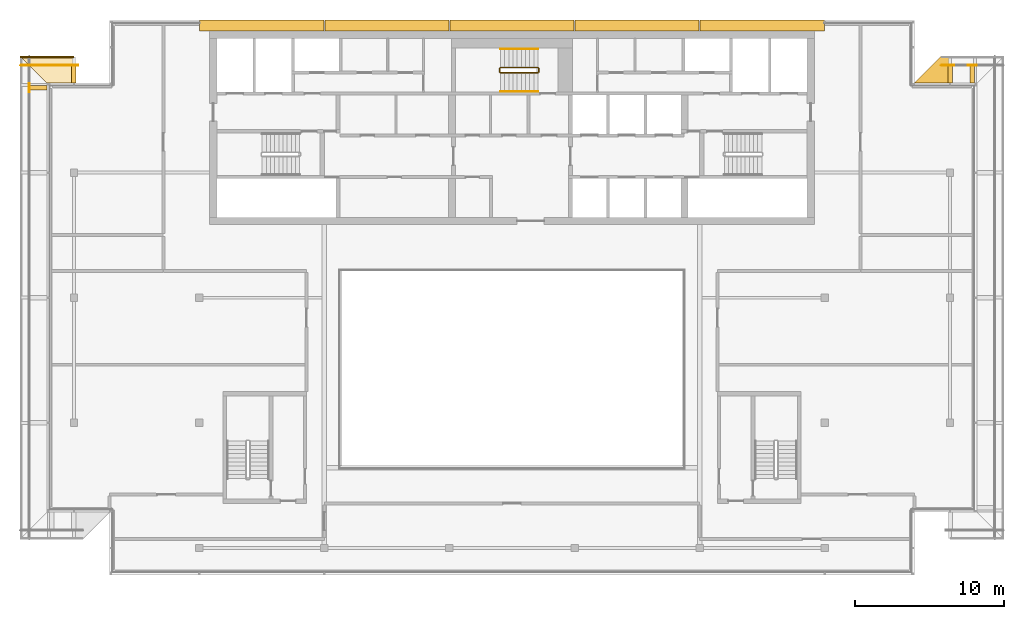
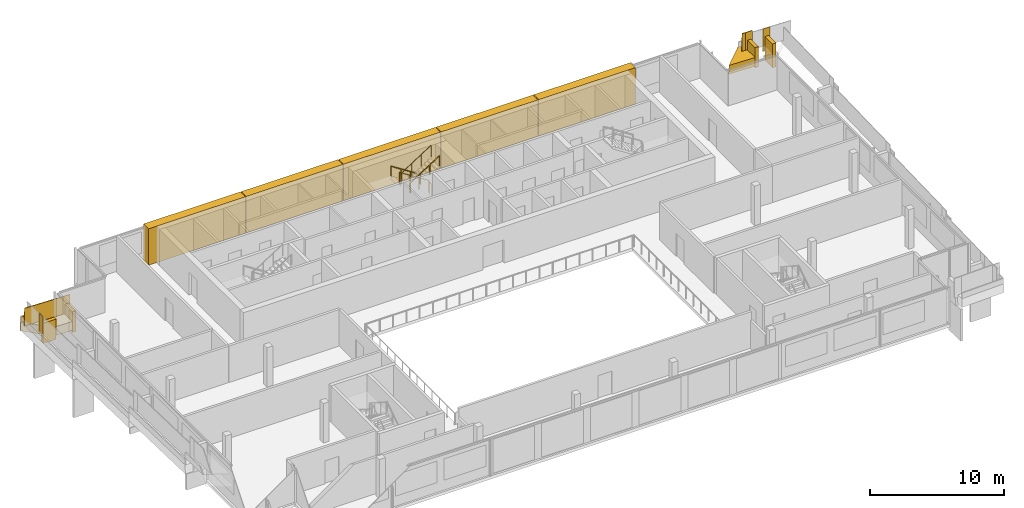
# One storey, part 18 of 20: 12 coverings, 9 railings.
"""IFC4 building model written with IfcOpenShell, lengths in metres."""

from ifc_helpers import new_model, si_unit, direction, frame, origin, origin_2d, place, context, subcontext, project, spatial, polyline, rectangle, circle, outline, extrude, material, layer, layer_set, type_object, element, save


model = new_model("IFC4")

# Units and contexts
model_context = context("Model", 3, precision=1e-05, world=origin(), true_north=direction((0.0, 1.0)))
body_context = subcontext(model_context, "Body", "Model", "MODEL_VIEW")
ifc_project = project(units=[si_unit("LENGTHUNIT", "METRE"), si_unit("AREAUNIT", "SQUARE_METRE"), si_unit("VOLUMEUNIT", "CUBIC_METRE"), si_unit("PLANEANGLEUNIT", "RADIAN"), si_unit("MASSUNIT", "GRAM", prefix="KILO")], contexts=[model_context])

# Site, building, storey
site_placement = place(None, origin())
site = spatial("IfcSite", under=ifc_project, at=site_placement, CompositionType="ELEMENT")
building_placement = place(site_placement, origin())
building = spatial("IfcBuilding", under=site, at=building_placement, Name="Saffron Gate Tower", CompositionType="ELEMENT")
storey_placement = place(building_placement, frame((0.0, 0.0, 303.14990234375)))
storey = spatial("IfcBuildingStorey", under=building, at=storey_placement, Name="L74", CompositionType="ELEMENT", Elevation=303.14990234375)

# Coverings
ifc_material_1 = material(Name="Ceramic-printed bronze insulated panel")
ifc_layer_1 = layer(ifc_material_1, 0.739990234375)
ifc_layer_set_1 = layer_set([ifc_layer_1], Name="CLD5 ceramic-printed cladding panel 740")
covering_type_1 = type_object("IfcCoveringType", Name="CLD5 ceramic-printed cladding panel 740", PredefinedType="CLADDING", material=ifc_layer_set_1)
covering_1_placement = place(storey_placement, origin())
element("IfcCovering", 1, at=covering_1_placement, inside=storey, type_object=covering_type_1, Name="CLADDING ceramic-printed panel", PredefinedType="CLADDING", context=body_context, shape_type="SweptSolid", body=[
    extrude(outline(polyline([(108.56494140625, 75.639892578125), (100.235107421875, 75.639892578125), (100.235107421875, 74.89990234375), (108.56494140625, 74.89990234375), (108.56494140625, 75.639892578125)])), origin(), (0.0, 0.0, 1.0), 3.320068359375),
])
covering_2_placement = place(storey_placement, origin())
element("IfcCovering", 2, at=covering_2_placement, inside=storey, type_object=covering_type_1, Name="CLADDING ceramic-printed panel", PredefinedType="CLADDING", context=body_context, shape_type="SweptSolid", body=[
    extrude(outline(polyline([(100.1650390625, 75.639892578125), (91.8349609375, 75.639892578125), (91.8349609375, 74.89990234375), (100.1650390625, 74.89990234375), (100.1650390625, 75.639892578125)])), origin(), (0.0, 0.0, 1.0), 3.320068359375),
])
covering_3_placement = place(storey_placement, origin())
element("IfcCovering", 3, at=covering_3_placement, inside=storey, type_object=covering_type_1, Name="CLADDING ceramic-printed panel", PredefinedType="CLADDING", context=body_context, shape_type="SweptSolid", body=[
    extrude(outline(polyline([(91.764892578125, 75.639892578125), (83.43505859375, 75.639892578125), (83.43505859375, 74.89990234375), (91.764892578125, 74.89990234375), (91.764892578125, 75.639892578125)])), origin(), (0.0, 0.0, 1.0), 3.320068359375),
])
covering_4_placement = place(storey_placement, origin())
element("IfcCovering", 4, at=covering_4_placement, inside=storey, type_object=covering_type_1, Name="CLADDING ceramic-printed panel", PredefinedType="CLADDING", context=body_context, shape_type="SweptSolid", body=[
    extrude(outline(polyline([(83.364990234375, 75.639892578125), (75.034912109375, 75.639892578125), (75.034912109375, 74.89990234375), (83.364990234375, 74.89990234375), (83.364990234375, 75.639892578125)])), origin(), (0.0, 0.0, 1.0), 3.320068359375),
])
covering_5_placement = place(storey_placement, origin())
element("IfcCovering", 5, at=covering_5_placement, inside=storey, type_object=covering_type_1, Name="CLADDING ceramic-printed panel", PredefinedType="CLADDING", context=body_context, shape_type="SweptSolid", body=[
    extrude(outline(polyline([(74.965087890625, 75.639892578125), (66.635009765625, 75.639892578125), (66.635009765625, 74.89990234375), (74.965087890625, 74.89990234375), (74.965087890625, 75.639892578125)])), origin(), (0.0, 0.0, 1.0), 3.320068359375),
])

# Railings
ifc_material_2 = material(Name="Stainless steel and laminated glass", Category="steel")
railing_type_1 = type_object("IfcRailingType", Name="CR1 Stair guard 1100", PredefinedType="GUARDRAIL", material=ifc_material_2)
railing_1_placement = place(storey_placement, frame((89.39990234375, 72.14990234375, 0.0)))
element("IfcRailing", 6, at=railing_1_placement, inside=storey, type_object=railing_type_1, Name="L74 ST-C stair guard 1", PredefinedType="GUARDRAIL", context=body_context, shape_type="SweptSolid", body=[
    extrude(circle(Radius=0.02392578125, at=origin_2d()), frame((0.0, 0.0, 1.076171875), z_axis=(0.0, 1.0, 0.0), x_axis=(-1.0, 0.0, 0.0)), (0.0, 0.0, 1.0), 0.25),
    extrude(circle(Radius=0.02392578125, at=origin_2d()), frame((0.0, 0.25, 1.076171875), z_axis=(-0.257366384619, 0.258627984543, 0.931060744355), x_axis=(-0.708833529934, -0.705375805398, 0.0)), (0.0, 0.0, 1.0), 0.193603515625),
    extrude(circle(Radius=0.02392578125, at=origin_2d()), frame((-0.0498046875, 0.300048828125, 1.25634765625), z_axis=(-0.841199657755, 0.0, 0.540724639528), x_axis=(0.0, -1.0, 0.0)), (0.0, 0.0, 1.0), 2.995849609375),
    extrude(circle(Radius=0.02392578125, at=origin_2d()), frame((-2.56982421875, 0.300048828125, 2.8759765625), z_axis=(-0.707106781187, -0.707106781187, 0.0), x_axis=(0.707106781187, -0.707106781187, 0.0)), (0.0, 0.0, 1.0), 0.07080078125),
    extrude(circle(Radius=0.02392578125, at=origin_2d()), frame((-2.619873046875, 0.25, 2.8759765625), z_axis=(0.0, -1.0, 0.0), x_axis=(1.0, 0.0, 0.0)), (0.0, 0.0, 1.0), 0.25),
    extrude(circle(Radius=0.02392578125, at=origin_2d()), frame((-2.619873046875, 0.0, 2.8759765625), z_axis=(0.258932105505, -0.257669022063, 0.930892496375), x_axis=(0.705375805398, 0.708833529934, 0.0)), (0.0, 0.0, 1.0), 0.193359375),
    extrude(circle(Radius=0.02392578125, at=origin_2d()), frame((-2.56982421875, -0.0498046875, 3.05615234375), z_axis=(0.841162588446, 0.0, 0.540782303519), x_axis=(0.0, 1.0, 0.0)), (0.0, 0.0, 1.0), 2.995849609375),
    extrude(circle(Radius=0.02099609375, at=origin_2d()), origin(), (0.0, 0.0, 1.0), 1.052001953125),
    extrude(circle(Radius=0.02099609375, at=origin_2d()), frame((0.0, 0.25, 0.0)), (0.0, 0.0, 1.0), 1.052001953125),
    extrude(circle(Radius=0.02099609375, at=origin_2d()), frame((-0.0498046875, 0.300048828125, 0.18017578125)), (0.0, 0.0, 1.0), 1.052001953125),
    extrude(circle(Radius=0.02099609375, at=origin_2d()), frame((-0.889892578125, 0.300048828125, 0.72021484375)), (0.0, 0.0, 1.0), 1.052001953125),
    extrude(circle(Radius=0.02099609375, at=origin_2d()), frame((-1.729736328125, 0.300048828125, 1.260009765625)), (0.0, 0.0, 1.0), 1.052001953125),
    extrude(circle(Radius=0.02099609375, at=origin_2d()), frame((-2.56982421875, 0.300048828125, 1.800048828125)), (0.0, 0.0, 1.0), 1.052001953125),
    extrude(circle(Radius=0.02099609375, at=origin_2d()), frame((-2.619873046875, 0.25, 1.800048828125)), (0.0, 0.0, 1.0), 1.052001953125),
    extrude(circle(Radius=0.02099609375, at=origin_2d()), frame((-2.619873046875, 0.0, 1.800048828125)), (0.0, 0.0, 1.0), 1.052001953125),
    extrude(circle(Radius=0.02099609375, at=origin_2d()), frame((-2.56982421875, -0.0498046875, 1.97998046875)), (0.0, 0.0, 1.0), 1.052001953125),
    extrude(circle(Radius=0.02099609375, at=origin_2d()), frame((-1.729736328125, -0.0498046875, 2.52001953125)), (0.0, 0.0, 1.0), 1.052001953125),
    extrude(circle(Radius=0.02099609375, at=origin_2d()), frame((-0.889892578125, -0.0498046875, 3.06005859375)), (0.0, 0.0, 1.0), 1.052001953125),
    extrude(circle(Radius=0.02099609375, at=origin_2d()), frame((-0.0498046875, -0.0498046875, 3.60009765625)), (0.0, 0.0, 1.0), 1.052001953125),
])
ifc_material_3 = material(Name="Stainless steel", Category="steel")
railing_type_2 = type_object("IfcRailingType", Name="CR2 Stair handrail 900", PredefinedType="HANDRAIL", material=ifc_material_3)
railing_2_placement = place(storey_placement, frame((89.35009765625, 73.699951171875, 0.18017578125)))
element("IfcRailing", 7, at=railing_2_placement, inside=storey, type_object=railing_type_2, Name="L74 ST-C stair handrail 1", PredefinedType="HANDRAIL", context=body_context, shape_type="SweptSolid", body=[
    extrude(circle(Radius=0.02392578125, at=origin_2d()), frame((0.0, 0.0, 0.8759765625), z_axis=(-0.841199657755, 0.0, 0.540724639528), x_axis=(0.0, -1.0, 0.0)), (0.0, 0.0, 1.0), 2.995849609375),
    extrude(circle(Radius=0.02099609375, at=origin_2d()), origin(), (0.0, 0.0, 1.0), 0.851806640625),
    extrude(circle(Radius=0.02099609375, at=origin_2d()), frame((-0.840087890625, 0.0, 0.5400390625)), (0.0, 0.0, 1.0), 0.851806640625),
    extrude(circle(Radius=0.02099609375, at=origin_2d()), frame((-1.679931640625, 0.0, 1.079833984375)), (0.0, 0.0, 1.0), 0.851806640625),
    extrude(circle(Radius=0.02099609375, at=origin_2d()), frame((-2.52001953125, 0.0, 1.619873046875)), (0.0, 0.0, 1.0), 0.851806640625),
])
railing_3_placement = place(storey_placement, frame((86.830078125, 70.85009765625, 1.97998046875)))
element("IfcRailing", 8, at=railing_3_placement, inside=storey, type_object=railing_type_2, Name="L74 ST-C stair handrail 2", PredefinedType="HANDRAIL", context=body_context, shape_type="SweptSolid", body=[
    extrude(circle(Radius=0.02392578125, at=origin_2d()), frame((0.0, 0.0, 0.8759765625), z_axis=(0.841162588446, 0.0, 0.540782303519), x_axis=(0.0, 1.0, 0.0)), (0.0, 0.0, 1.0), 2.995849609375),
    extrude(circle(Radius=0.02099609375, at=origin_2d()), origin(), (0.0, 0.0, 1.0), 0.851806640625),
    extrude(circle(Radius=0.02099609375, at=origin_2d()), frame((0.840087890625, 0.0, 0.5400390625)), (0.0, 0.0, 1.0), 0.851806640625),
    extrude(circle(Radius=0.02099609375, at=origin_2d()), frame((1.679931640625, 0.0, 1.080078125)), (0.0, 0.0, 1.0), 0.851806640625),
    extrude(circle(Radius=0.02099609375, at=origin_2d()), frame((2.52001953125, 0.0, 1.6201171875)), (0.0, 0.0, 1.0), 0.851806640625),
])

# Coverings
ifc_material_4 = material(Name="Timber, thermally modified ash", Category="wood")
ifc_layer_2 = layer(ifc_material_4, 0.800048828125)
ifc_layer_set_2 = layer_set([ifc_layer_2], Name="LD1 ledge timber")
covering_type_2 = type_object("IfcCoveringType", Name="LD1 ledge timber", PredefinedType="CLADDING", material=ifc_layer_set_2)
covering_6_placement = place(storey_placement, frame((58.199951171875, 71.39990234375, -0.00390625), z_axis=(0.028833291474, 4.3887651e-05, 0.999584233257), x_axis=(-0.99958423422, -1.925e-09, 0.028833291502)))
element("IfcCovering", 9, at=covering_6_placement, inside=storey, type_object=covering_type_2, Name="LEDGE", PredefinedType="CLADDING", context=body_context, shape_type="SweptSolid", body=[
    extrude(outline(polyline([(0.0, 0.0), (1.8007998168930421, -4.235164736271502e-22), (3.6013485518229187, -1.800048836792318), (-3.4656747156665518e-09, -1.8000488263914396), (0.0, 0.0)])), origin(), (0.0, 0.0, -1.0), 0.800048828125),
])
covering_7_placement = place(storey_placement, frame((117.0, 71.39990234375, 3.453857421875), z_axis=(0.028796646545, -2.5552475e-05, 0.999585290255), x_axis=(-0.999585290582, -4.9e-10, 0.028796646555)))
element("IfcCovering", 10, at=covering_7_placement, inside=storey, type_object=covering_type_2, Name="LEDGE", PredefinedType="CLADDING", context=body_context, shape_type="SweptSolid", body=[
    extrude(outline(polyline([(0.0, 0.0), (2.400896693699368, -2.117582368135751e-22), (0.600347949840283, -1.8000488290065384), (-8.81172729663379e-10, -1.8000488275373479), (0.0, 0.0)])), origin(), (0.0, 0.0, -1.0), 0.800048828125),
])
ifc_layer_3 = layer(ifc_material_4, 0.080078125)
ifc_layer_set_3 = layer_set([ifc_layer_3], Name="LD2 ledge planter trough")
covering_type_3 = type_object("IfcCoveringType", Name="LD2 ledge planter trough", PredefinedType="CLADDING", material=ifc_layer_set_3)
covering_8_placement = place(storey_placement, frame((58.199951171875, 73.199951171875, -0.00390625), z_axis=(0.0, 1.0, 0.0), x_axis=(-0.999584866472, 0.0, 0.028811364412)))
element("IfcCovering", 11, at=covering_8_placement, inside=storey, type_object=covering_type_3, Name="LEDGE planter trough", PredefinedType="CLADDING", context=body_context, shape_type="SweptSolid", body=[
    extrude(outline(polyline([(0.0, 0.0), (3.601348556155073, 0.0), (3.6157542383609322, 0.49979243323622236), (0.01440568220585924, 0.49979243323622236), (0.0, 0.0)])), origin(), (0.0, 0.0, -1.0), 0.080078125),
])
ifc_layer_4 = layer(ifc_material_4, 0.300048828125)
ifc_layer_set_4 = layer_set([ifc_layer_4], Name="LD3 ledge riser fin")
covering_type_4 = type_object("IfcCoveringType", Name="LD3 ledge riser fin", PredefinedType="CLADDING", material=ifc_layer_set_4)
covering_9_placement = place(storey_placement, frame((58.199951171875, 71.9599609375, -0.99072265625), z_axis=(0.0, 0.0, 1.0), x_axis=(-1.0, 0.0, 0.0)))
element("IfcCovering", 12, at=covering_9_placement, inside=storey, type_object=covering_type_4, Name="LEDGE riser fin", PredefinedType="CLADDING", context=body_context, shape_type="SweptSolid", body=[
    extrude(rectangle(XDim=0.300048828125, YDim=1.1201171875, at=origin_2d()), origin(), (0.0, 0.0, 1.0), 1.886962890625),
])
covering_10_placement = place(storey_placement, frame((55.840087890625, 71.10009765625, -0.751953125), z_axis=(0.0, 0.0, 1.0), x_axis=(0.0, -1.0, 0.0)))
element("IfcCovering", 13, at=covering_10_placement, inside=storey, type_object=covering_type_4, Name="LEDGE riser fin", PredefinedType="CLADDING", context=body_context, shape_type="SweptSolid", body=[
    extrude(rectangle(XDim=0.300048828125, YDim=1.1201171875, at=origin_2d()), origin(), (0.0, 0.0, 1.0), 1.84033203125),
])
covering_11_placement = place(storey_placement, frame((118.5, 71.9599609375, 1.994140625), z_axis=(0.0, 0.0, 1.0), x_axis=(-1.0, 0.0, 0.0)))
element("IfcCovering", 14, at=covering_11_placement, inside=storey, type_object=covering_type_4, Name="LEDGE riser fin", PredefinedType="CLADDING", context=body_context, shape_type="SweptSolid", body=[
    extrude(rectangle(XDim=0.300048828125, YDim=1.1201171875, at=origin_2d()), origin(), (0.0, 0.0, 1.0), 2.16748046875),
])
covering_12_placement = place(storey_placement, frame((117.0, 71.9599609375, 2.513427734375), z_axis=(0.0, 0.0, 1.0), x_axis=(-1.0, 0.0, 0.0)))
element("IfcCovering", 15, at=covering_12_placement, inside=storey, type_object=covering_type_4, Name="LEDGE riser fin", PredefinedType="CLADDING", context=body_context, shape_type="SweptSolid", body=[
    extrude(rectangle(XDim=0.300048828125, YDim=1.1201171875, at=origin_2d()), origin(), (0.0, 0.0, 1.0), 1.84033203125),
])

# Railings
railing_type_3 = type_object("IfcRailingType", Name="LG1 ledge balustrade", PredefinedType="BALUSTRADE", material=ifc_material_4)
railing_4_placement = place(storey_placement, frame((58.199951171875, 72.60009765625, -0.00390625)))
element("IfcRailing", 16, at=railing_4_placement, inside=storey, type_object=railing_type_3, Name="LEDGE BALUSTRADE", PredefinedType="BALUSTRADE", context=body_context, shape_type="SweptSolid", body=[
    extrude(rectangle(XDim=0.06005859375, YDim=1.60009765625, at=origin_2d()), frame((0.0, 0.0, 0.800048828125), z_axis=(-0.999584866472, 0.0, 0.028811364412), x_axis=(0.0, -1.0, 0.0)), (0.0, 0.0, 1.0), 3.601318359375),
])
railing_5_placement = place(storey_placement, frame((58.5, 72.60009765625, -0.19091796875)))
element("IfcRailing", 17, at=railing_5_placement, inside=storey, type_object=railing_type_3, Name="LEDGE BALUSTRADE", PredefinedType="BALUSTRADE", context=body_context, shape_type="SweptSolid", body=[
    extrude(rectangle(XDim=0.06005859375, YDim=1.787109375, at=origin_2d()), frame((0.0, 0.0, 0.8935546875), z_axis=(-1.0, 0.0, 0.0), x_axis=(0.0, -1.0, 0.0)), (0.0, 0.0, 1.0), 0.60009765625),
])
railing_6_placement = place(storey_placement, frame((55.199951171875, 71.39990234375, 0.048095703125)))
element("IfcRailing", 18, at=railing_6_placement, inside=storey, type_object=railing_type_3, Name="LEDGE BALUSTRADE", PredefinedType="BALUSTRADE", context=body_context, shape_type="SweptSolid", body=[
    extrude(rectangle(XDim=0.06005859375, YDim=1.740234375, at=origin_2d()), frame((0.0, 0.0, 0.8701171875), z_axis=(0.0, -1.0, 0.0), x_axis=(1.0, 0.0, 0.0)), (0.0, 0.0, 1.0), 0.599853515625),
])
railing_7_placement = place(storey_placement, frame((118.800048828125, 72.60009765625, 2.794189453125)))
element("IfcRailing", 19, at=railing_7_placement, inside=storey, type_object=railing_type_3, Name="LEDGE BALUSTRADE", PredefinedType="BALUSTRADE", context=body_context, shape_type="SweptSolid", body=[
    extrude(rectangle(XDim=0.06005859375, YDim=2.0673828125, at=origin_2d()), frame((0.0, 0.0, 1.03369140625), z_axis=(-1.0, 0.0, 0.0), x_axis=(0.0, -1.0, 0.0)), (0.0, 0.0, 1.0), 0.60009765625),
])
railing_8_placement = place(storey_placement, frame((117.0, 72.60009765625, 3.453857421875)))
element("IfcRailing", 20, at=railing_8_placement, inside=storey, type_object=railing_type_3, Name="LEDGE BALUSTRADE", PredefinedType="BALUSTRADE", context=body_context, shape_type="SweptSolid", body=[
    extrude(rectangle(XDim=0.06005859375, YDim=1.60009765625, at=origin_2d()), frame((0.0, 0.0, 0.800048828125), z_axis=(-0.999583081391, 0.0, 0.028873229772), x_axis=(0.0, -1.0, 0.0)), (0.0, 0.0, 1.0), 0.600341796875),
])
railing_9_placement = place(storey_placement, frame((117.300048828125, 72.60009765625, 3.3134765625)))
element("IfcRailing", 21, at=railing_9_placement, inside=storey, type_object=railing_type_3, Name="LEDGE BALUSTRADE", PredefinedType="BALUSTRADE", context=body_context, shape_type="SweptSolid", body=[
    extrude(rectangle(XDim=0.06005859375, YDim=1.740234375, at=origin_2d()), frame((0.0, 0.0, 0.8701171875), z_axis=(-1.0, 0.0, 0.0), x_axis=(0.0, -1.0, 0.0)), (0.0, 0.0, 1.0), 0.60009765625),
])

save(model, "model.ifc")
